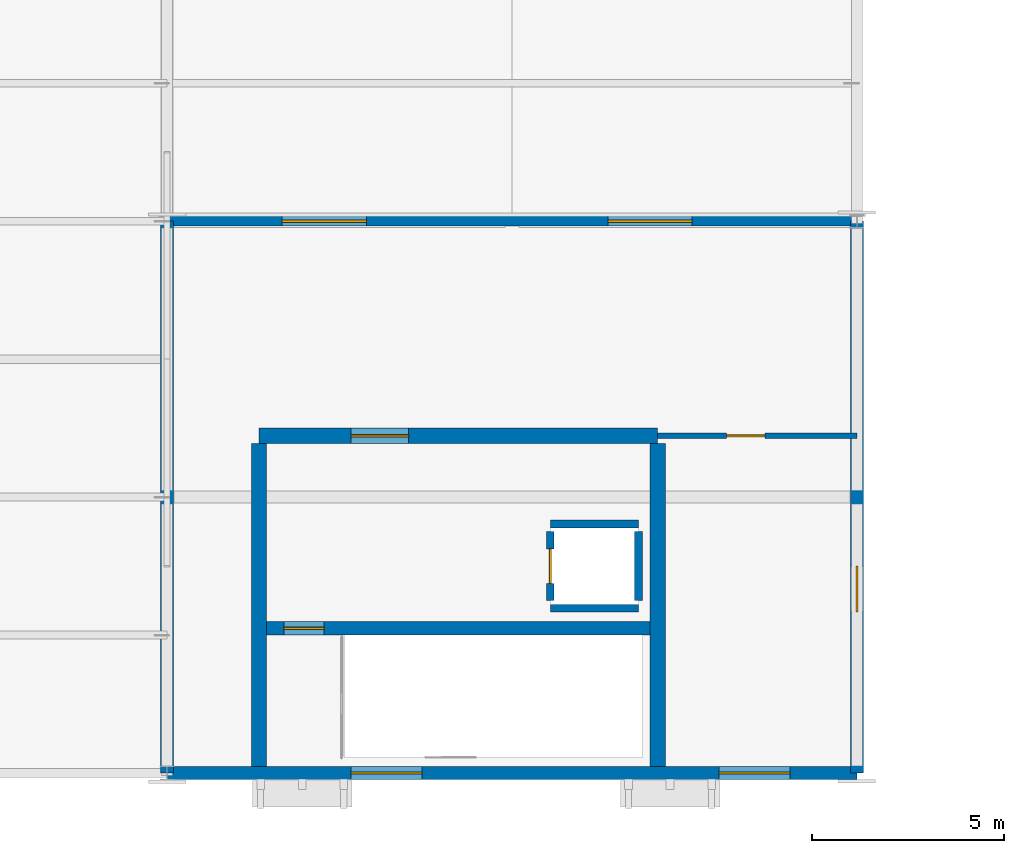
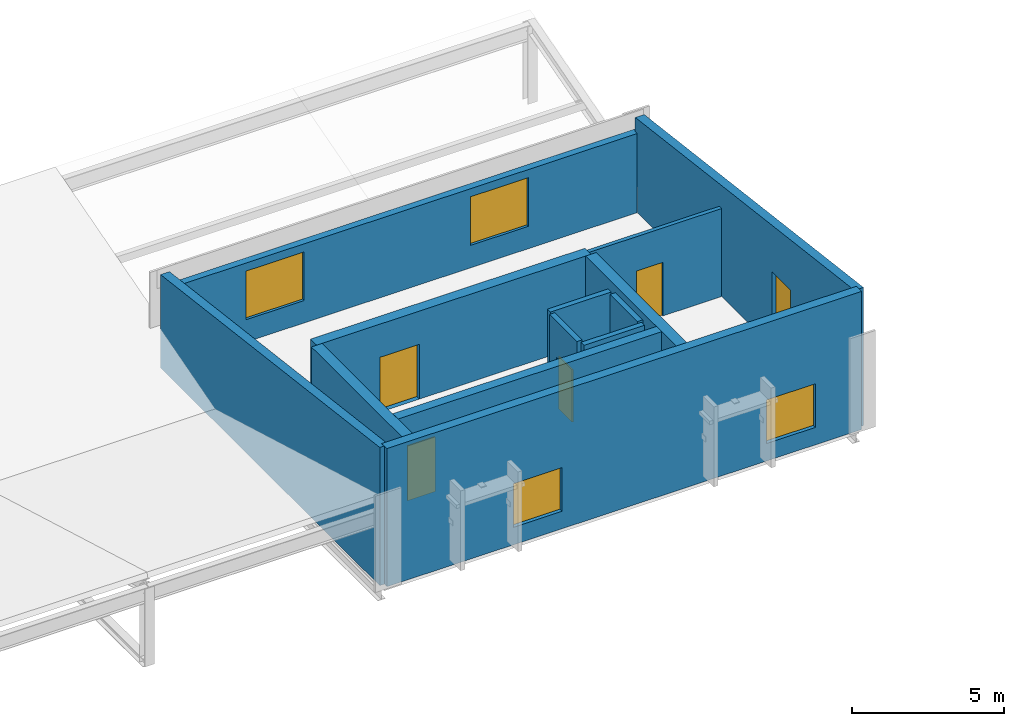
# One storey, part 41 of 64: 13 walls, 5 windows, 4 doors, 9 openings.
"""IFC4 building model written with IfcOpenShell, lengths in metres."""

import ifcopenshell
import ifcopenshell.guid

model = None  # the IFC model being written
_history = None  # IfcOwnerHistory: only IFC2X3 demands one
_inside = {}  # id of a spatial element -> (the spatial element, [elements in it])
_under = {}  # id of a project, library or spatial element -> (it, [spatial elements below it])
_declared = {}  # id of a project -> (the project, [libraries it declares])
_typed = {}  # id of a type object -> (the type object, [elements of that type])
_made_of = {}  # id of a material, layer set ... -> (it, [elements and type objects made of it])


def new_model(schema):
    """Start an empty IFC model of exactly this schema.

    Asked for "IFC4X3", IfcOpenShell would pick the latest addendum, in which some entities
    have other attributes; the version numbers below select the first issue.
    IFC2X3 requires an IfcOwnerHistory on every rooted entity: one is made here for all.
    """
    global model, _history
    if schema == "IFC4X3":
        model = ifcopenshell.file(schema_version=(4, 3, 0, 0))
    else:
        model = ifcopenshell.file(schema=schema)
    _inside.clear()
    _under.clear()
    _declared.clear()
    _typed.clear()
    _made_of.clear()
    _history = None
    if model.schema == "IFC2X3":
        org = make("IfcOrganization", Name="unknown")
        user = make(
            "IfcPersonAndOrganization",
            ThePerson=make("IfcPerson", FamilyName="unknown"),
            TheOrganization=org,
        )
        app = make(
            "IfcApplication",
            ApplicationDeveloper=org,
            Version="unknown",
            ApplicationFullName="unknown",
            ApplicationIdentifier="unknown",
        )
        _history = make(
            "IfcOwnerHistory",
            OwningUser=user,
            OwningApplication=app,
            ChangeAction="ADDED",
            CreationDate=0,
        )
    return model


def make(cls, **values):
    """One entity of the class cls with the attributes given. An attribute that is None is left unset."""
    return model.create_entity(
        cls, **{name: value for name, value in values.items() if value is not None}
    )


def rooted(cls, **values):
    """An entity with a GlobalId (a new one), such as an element, a storey or a relation."""
    return make(cls, GlobalId=ifcopenshell.guid.new(), OwnerHistory=_history, **values)


def si_unit(unit_type, name, prefix=None):
    """IfcSIUnit, for example si_unit("LENGTHUNIT", "METRE", prefix="MILLI")."""
    return make("IfcSIUnit", UnitType=unit_type, Prefix=prefix, Name=name)


def assignment(units):
    """IfcUnitAssignment: the units of a project."""
    return None if units is None else make("IfcUnitAssignment", Units=units)


def point(xyz):
    """IfcCartesianPoint."""
    return None if xyz is None else make("IfcCartesianPoint", Coordinates=xyz)


def direction(xyz):
    """IfcDirection."""
    return None if xyz is None else make("IfcDirection", DirectionRatios=xyz)


def frame(location, z_axis=None, x_axis=None):
    """IfcAxis2Placement3D, a coordinate frame: its origin and axes. An axis left out is left unset."""
    return make(
        "IfcAxis2Placement3D",
        Location=point(location),
        Axis=direction(z_axis),
        RefDirection=direction(x_axis),
    )


def frame_2d(location, x_axis=None):
    """IfcAxis2Placement2D, a coordinate frame in the plane: its origin and x axis."""
    return make(
        "IfcAxis2Placement2D", Location=point(location), RefDirection=direction(x_axis)
    )


def origin():
    """The frame at (0, 0, 0) with its axes left unset."""
    return frame((0.0, 0.0, 0.0))


def place(relative_to, where):
    """IfcLocalPlacement: puts the frame where relative to a parent placement (None: the world)."""
    return make(
        "IfcLocalPlacement", PlacementRelTo=relative_to, RelativePlacement=where
    )


def context(
    kind, dimensions, precision=None, world=None, true_north=None, identifier=None
):
    """IfcGeometricRepresentationContext, for example the 3D "Model" context."""
    return make(
        "IfcGeometricRepresentationContext",
        ContextIdentifier=identifier,
        ContextType=kind,
        CoordinateSpaceDimension=dimensions,
        Precision=precision,
        WorldCoordinateSystem=world,
        TrueNorth=true_north,
    )


def subcontext(parent, identifier, kind, view, scale=None):
    """IfcGeometricRepresentationSubContext, for example "Body" below "Model"."""
    return make(
        "IfcGeometricRepresentationSubContext",
        ContextIdentifier=identifier,
        ContextType=kind,
        ParentContext=parent,
        TargetScale=scale,
        TargetView=view,
    )


def project(units=None, contexts=None):
    """IfcProject with its units and contexts."""
    return rooted(
        "IfcProject",
        Name="project",
        RepresentationContexts=contexts,
        UnitsInContext=assignment(units),
    )


def spatial(cls, under=None, at=None, **own):
    """A site, building, storey or space (cls), placed at a placement, below another one or the project."""
    s = rooted(cls, ObjectPlacement=at, **own)
    if under is not None:
        _under.setdefault(under.id(), (under, []))[1].append(s)
    return s


def polyline(points):
    """IfcPolyline through the points."""
    return make("IfcPolyline", Points=[point(p) for p in points])


def profile(cls, at=None, kind="AREA", **sizes):
    """A parametric profile (cls). Its sizes go by their IFC names, for example OverallWidth=200.0."""
    return make(cls, ProfileType=kind, Position=at, **sizes)


def rectangle(**sizes):
    """IfcRectangleProfileDef."""
    return profile("IfcRectangleProfileDef", **sizes)


def outline(outer, holes=None, kind="AREA"):
    """IfcArbitraryClosedProfileDef: a profile drawn as a closed curve; with holes, ...WithVoids."""
    if holes is None:
        return make("IfcArbitraryClosedProfileDef", ProfileType=kind, OuterCurve=outer)
    return make(
        "IfcArbitraryProfileDefWithVoids",
        ProfileType=kind,
        OuterCurve=outer,
        InnerCurves=holes,
    )


def extrude(swept, where, along, depth):
    """IfcExtrudedAreaSolid: the profile swept, set in the frame where, extruded along a direction by depth."""
    return make(
        "IfcExtrudedAreaSolid",
        SweptArea=swept,
        Position=where,
        ExtrudedDirection=direction(along),
        Depth=depth,
    )


def shape(context_of_items, identifier, shape_type, items):
    """IfcShapeRepresentation: the items that make up one representation, for example the "Body"."""
    return make(
        "IfcShapeRepresentation",
        ContextOfItems=context_of_items,
        RepresentationIdentifier=identifier,
        RepresentationType=shape_type,
        Items=items,
    )


def material(Name=None, Category=None):
    """IfcMaterial."""
    return make("IfcMaterial", Name=Name, Category=Category)


def layer(
    of_material, thickness, ventilated=None, Name=None, Category=None, Priority=None
):
    """IfcMaterialLayer: one layer of a wall or slab, of a material (None: an air gap)."""
    return make(
        "IfcMaterialLayer",
        Material=of_material,
        LayerThickness=thickness,
        IsVentilated=ventilated,
        Name=Name,
        Category=Category,
        Priority=Priority,
    )


def layer_set(layers, Name=None):
    """IfcMaterialLayerSet."""
    return make("IfcMaterialLayerSet", MaterialLayers=layers, LayerSetName=Name)


def made_of(thing, what):
    """Note that an element or type object is made of a material, layer set ...; save() writes the relation."""
    if what is not None:
        _made_of.setdefault(what.id(), (what, []))[1].append(thing)
    return thing


def type_object(cls, material=None, **own):
    """A type object (cls), such as IfcWallType, which elements share."""
    return made_of(rooted(cls, **own), material)


def element(
    cls,
    number,
    at=None,
    inside=None,
    cuts=None,
    type_object=None,
    material=None,
    context=None,
    identifier="Body",
    shape_type=None,
    held_by="IfcProductDefinitionShape",
    body=None,
    shapes=None,
    **own,
):
    """One element of the class cls, such as IfcWall. Its Tag is "e" and its number.

    at: its placement. inside: the storey or other place that contains it. cuts: it is an
    opening in that element (IfcRelVoidsElement). A single representation is given by context,
    identifier, shape_type and body (its items); several are given by shapes. held_by: the class
    of the entity that holds the representations. save() writes the other relations.
    """
    e = rooted(cls, Tag="e%d" % number, ObjectPlacement=at, **own)
    if body is not None:
        shapes = [shape(context, identifier, shape_type, body)]
    if shapes is not None:
        e.Representation = make(held_by, Representations=shapes)
    if inside is not None:
        _inside.setdefault(inside.id(), (inside, []))[1].append(e)
    if cuts is not None:
        rooted(
            "IfcRelVoidsElement", RelatingBuildingElement=cuts, RelatedOpeningElement=e
        )
    if type_object is not None:
        _typed.setdefault(type_object.id(), (type_object, []))[1].append(e)
    return made_of(e, material)


def fill(opening, filler):
    """IfcRelFillsElement: the door or window that sits in an opening."""
    return rooted(
        "IfcRelFillsElement",
        RelatingOpeningElement=opening,
        RelatedBuildingElement=filler,
    )


def aggregate(whole, parts):
    """IfcRelAggregates: a whole, such as a stair, and the parts it consists of."""
    return rooted("IfcRelAggregates", RelatingObject=whole, RelatedObjects=parts)


def save(model, path):
    """Write the relations noted so far, then the file.

    IfcRelAggregates (storeys below a building ...), IfcRelContainedInSpatialStructure (elements
    in a storey), IfcRelDefinesByType, IfcRelAssociatesMaterial and IfcRelDeclares: one each for
    every whole, place, type object, material and project.
    """
    for whole, parts in _under.values():
        aggregate(whole, parts)
    for where, things in _inside.values():
        rooted(
            "IfcRelContainedInSpatialStructure",
            RelatedElements=things,
            RelatingStructure=where,
        )
    for kind, things in _typed.values():
        rooted("IfcRelDefinesByType", RelatedObjects=things, RelatingType=kind)
    for what, things in _made_of.values():
        rooted("IfcRelAssociatesMaterial", RelatedObjects=things, RelatingMaterial=what)
    for by, libraries in _declared.values():
        rooted("IfcRelDeclares", RelatingContext=by, RelatedDefinitions=libraries)
    model.write(path)


model = new_model("IFC4")

# Units and contexts
model_context = context("Model", 3, precision=1e-05, world=origin(), true_north=direction((0.0, 1.0)))
body_context = subcontext(model_context, "Body", "Model", "MODEL_VIEW")
ifc_project = project(units=[si_unit("LENGTHUNIT", "METRE"), si_unit("AREAUNIT", "SQUARE_METRE"), si_unit("VOLUMEUNIT", "CUBIC_METRE"), si_unit("PLANEANGLEUNIT", "RADIAN"), si_unit("MASSUNIT", "GRAM", prefix="KILO")], contexts=[model_context])

# Site, building, storey
site_placement = place(None, origin())
site = spatial("IfcSite", under=ifc_project, at=site_placement, CompositionType="ELEMENT")
building_placement = place(site_placement, origin())
building = spatial("IfcBuilding", under=site, at=building_placement, Name="Vervanel Yard Central Library", CompositionType="ELEMENT")
storey_placement = place(building_placement, frame((0.0, 0.0, 8.93994140625)))
storey = spatial("IfcBuildingStorey", under=building, at=storey_placement, Name="L02", CompositionType="ELEMENT", Elevation=8.93994140625)

# Wall, openings, windows
ifc_material_1 = material(Name="Concrete C40/50", Category="concrete")
ifc_layer_1 = layer(ifc_material_1, 0.260009765625, Category="concrete")
ifc_layer_set_1 = layer_set([ifc_layer_1], Name="Concrete C40/50")
wall_type_1 = type_object("IfcWallType", Name="Children's Pavilion Concrete Wall 260", PredefinedType="SOLIDWALL", material=ifc_layer_set_1)
wall_1_placement = place(storey_placement, frame((90.0, 14.39990234375, 0.0), z_axis=(0.0, 0.0, 1.0), x_axis=(1.0, 0.0, 0.0)))
wall_1 = element("IfcWall", 1, at=wall_1_placement, inside=storey, type_object=wall_type_1, Name="L02 Children's Pavilion Concrete Wall 260 EWALL-L02-0210", PredefinedType="SOLIDWALL", context=body_context, shape_type="SweptSolid", body=[
    extrude(rectangle(XDim=18.0, YDim=0.260009765625, at=frame_2d((9.0, 0.0))), origin(), (0.0, 0.0, 1.0), 3.174072265625),
])
opening_1_placement = place(wall_1_placement, frame((3.0, 0.0, 0.89990234375)))
opening_1 = element("IfcOpeningElement", 2, at=opening_1_placement, cuts=wall_1, Name="Opening WN-11", PredefinedType="OPENING", context=body_context, shape_type="SweptSolid", body=[
    extrude(rectangle(XDim=2.199951171875, YDim=1.949951171875, at=frame_2d((1.10009765625, 0.97509765625))), frame((0.0, 0.139892578125, 0.0), z_axis=(0.0, -1.0, 0.0), x_axis=(1.0, 0.0, 0.0)), (0.0, 0.0, 1.0), 0.280029296875),
])
opening_2_placement = place(wall_1_placement, frame((11.5, 0.0, 0.89990234375)))
opening_2 = element("IfcOpeningElement", 3, at=opening_2_placement, cuts=wall_1, Name="Opening WN-11", PredefinedType="OPENING", context=body_context, shape_type="SweptSolid", body=[
    extrude(rectangle(XDim=2.199951171875, YDim=1.949951171875, at=frame_2d((1.10009765625, 0.97509765625))), frame((0.0, 0.139892578125, 0.0), z_axis=(0.0, -1.0, 0.0), x_axis=(1.0, 0.0, 0.0)), (0.0, 0.0, 1.0), 0.280029296875),
])
ifc_material_2 = material(Name="Double low-E laminated solar-control glass", Category="glass")
window_type_1 = type_object("IfcWindowType", Name="Children's Discovery Picture Window 2200x1950", PartitioningType="SINGLE_PANEL", PredefinedType="WINDOW", material=ifc_material_2)
window_1_placement = place(opening_1_placement, origin())
window_1 = element("IfcWindow", 4, at=window_1_placement, inside=storey, type_object=window_type_1, Name="L02 Children's Discovery Picture Window 2200x1950 274", OverallHeight=1.949951171875, OverallWidth=2.199951171875, PartitioningType="SINGLE_PANEL", PredefinedType="WINDOW", context=body_context, shape_type="SweptSolid", body=[
    extrude(rectangle(XDim=2.199951171875, YDim=1.949951171875, at=frame_2d((1.10009765625, 0.97509765625))), frame((0.0, 0.030029296875, 0.0), z_axis=(0.0, -1.0, 0.0), x_axis=(1.0, 0.0, 0.0)), (0.0, 0.0, 1.0), 0.06005859375),
])
fill(opening_1, window_1)
window_2_placement = place(opening_2_placement, origin())
window_2 = element("IfcWindow", 5, at=window_2_placement, inside=storey, type_object=window_type_1, Name="L02 Children's Discovery Picture Window 2200x1950 275", OverallHeight=1.949951171875, OverallWidth=2.199951171875, PartitioningType="SINGLE_PANEL", PredefinedType="WINDOW", context=body_context, shape_type="SweptSolid", body=[
    extrude(rectangle(XDim=2.199951171875, YDim=1.949951171875, at=frame_2d((1.10009765625, 0.97509765625))), frame((0.0, 0.030029296875, 0.0), z_axis=(0.0, -1.0, 0.0), x_axis=(1.0, 0.0, 0.0)), (0.0, 0.0, 1.0), 0.06005859375),
])
fill(opening_2, window_2)

# Wall, opening, door
ifc_material_3 = material(Name="Concrete C45/55", Category="concrete")
ifc_layer_2 = layer(ifc_material_3, 0.39990234375, Category="concrete")
ifc_layer_set_2 = layer_set([ifc_layer_2], Name="Concrete C45/55")
wall_type_2 = type_object("IfcWallType", Name="Core Primary Shear Wall 400", PredefinedType="SHEAR", material=ifc_layer_set_2)
wall_2_placement = place(storey_placement, frame((92.39990234375, 8.800048828125, 0.0), z_axis=(0.0, 0.0, 1.0), x_axis=(1.0, 0.0, 0.0)))
wall_2 = element("IfcWall", 6, at=wall_2_placement, inside=storey, type_object=wall_type_2, Name="L02 CORE-F Shear Wall N", PredefinedType="SHEAR", context=body_context, shape_type="SweptSolid", body=[
    extrude(rectangle(XDim=10.400146484375, YDim=0.39990234375, at=frame_2d((5.2001953125, 0.0))), origin(), (0.0, 0.0, 1.0), 3.530029296875),
])
opening_3_placement = place(wall_2_placement, frame((2.39990234375, 0.0, 0.0)))
opening_3 = element("IfcOpeningElement", 7, at=opening_3_placement, cuts=wall_2, Name="Opening DR-F02", PredefinedType="OPENING", context=body_context, shape_type="SweptSolid", body=[
    extrude(rectangle(XDim=1.5, YDim=2.199951171875, at=frame_2d((0.75, 1.10009765625))), frame((0.0, 0.2099609375, 0.0), z_axis=(0.0, -1.0, 0.0), x_axis=(1.0, 0.0, 0.0)), (0.0, 0.0, 1.0), 0.419921875),
])
ifc_material_4 = material(Name="Galvanized painted steelwork ASTM A500 Grade C", Category="steel")
door_type_1 = type_object("IfcDoorType", Name="Fire-Rated Lobby Door 1500x2200", OperationType="NOTDEFINED", PredefinedType="DOOR", material=ifc_material_4)
door_1_placement = place(opening_3_placement, origin())
door_1 = element("IfcDoor", 8, at=door_1_placement, inside=storey, type_object=door_type_1, Name="L02 CORE-F Lobby Fire Door", OperationType="DOUBLE_DOOR_SINGLE_SWING", OverallHeight=2.199951171875, OverallWidth=1.5, PredefinedType="DOOR", context=body_context, shape_type="SweptSolid", body=[
    extrude(rectangle(XDim=1.5, YDim=2.199951171875, at=frame_2d((0.75, 1.10009765625))), frame((0.0, 0.02490234375, 0.0), z_axis=(0.0, -1.0, 0.0), x_axis=(1.0, 0.0, 0.0)), (0.0, 0.0, 1.0), 0.050048828125),
])
fill(opening_3, door_1)

# Walls
for number, where, z_axis, x_axis, name in (
    (9, (92.39990234375, 0.169921875, 0.0), (0.0, 0.0, 1.0), (0.0, 1.0, 0.0), "L02 CORE-F Shear Wall W"),
    (10, (102.800048828125, 0.169921875, 0.0), (0.0, 0.0, 1.0), (0.0, 1.0, 0.0), "L02 CORE-F Shear Wall E"),
):
    element("IfcWall", number, at=place(storey_placement, frame(where, z_axis=z_axis, x_axis=x_axis)), inside=storey, type_object=wall_type_2, Name=name, PredefinedType="SHEAR", context=body_context, shape_type="SweptSolid", body=[
        extrude(rectangle(XDim=8.43017578125, YDim=0.39990234375, at=frame_2d((4.215087890625, 0.0))), origin(), (0.0, 0.0, 1.0), 3.530029296875),
    ])

# Wall, opening, door
ifc_layer_3 = layer(ifc_material_3, 0.35009765625, Category="concrete")
ifc_layer_set_3 = layer_set([ifc_layer_3], Name="Concrete C45/55")
wall_type_3 = type_object("IfcWallType", Name="Core Secondary Shear Wall 350", PredefinedType="SHEAR", material=ifc_layer_set_3)
wall_3_placement = place(storey_placement, frame((92.60009765625, 3.77490234375, 0.0), z_axis=(0.0, 0.0, 1.0), x_axis=(1.0, 0.0, 0.0)))
wall_3 = element("IfcWall", 11, at=wall_3_placement, inside=storey, type_object=wall_type_3, Name="L02 CORE-F Stair Shaft Wall", PredefinedType="SHEAR", context=body_context, shape_type="SweptSolid", body=[
    extrude(rectangle(XDim=10.0, YDim=0.35009765625, at=frame_2d((5.0, 0.0))), origin(), (0.0, 0.0, 1.0), 3.530029296875),
])
opening_4_placement = place(wall_3_placement, frame((0.449951171875, 0.0, 0.0)))
opening_4 = element("IfcOpeningElement", 12, at=opening_4_placement, cuts=wall_3, Name="Opening DR-F01", PredefinedType="OPENING", context=body_context, shape_type="SweptSolid", body=[
    extrude(rectangle(XDim=1.050048828125, YDim=2.199951171875, at=frame_2d((0.52490234375, 1.10009765625))), frame((0.0, 0.18505859375, 0.0), z_axis=(0.0, -1.0, 0.0), x_axis=(1.0, 0.0, 0.0)), (0.0, 0.0, 1.0), 0.3701171875),
])
door_type_2 = type_object("IfcDoorType", Name="Fire-Rated Stair Exit Door 1050x2200", OperationType="NOTDEFINED", PredefinedType="DOOR", material=ifc_material_4)
door_2_placement = place(opening_4_placement, origin())
door_2 = element("IfcDoor", 13, at=door_2_placement, inside=storey, type_object=door_type_2, Name="L02 CORE-F Stair Door", OperationType="SINGLE_SWING_LEFT", OverallHeight=2.199951171875, OverallWidth=1.050048828125, PredefinedType="DOOR", context=body_context, shape_type="SweptSolid", body=[
    extrude(rectangle(XDim=1.050048828125, YDim=2.199951171875, at=frame_2d((0.52490234375, 1.10009765625))), frame((0.0, 0.02490234375, 0.0), z_axis=(0.0, -1.0, 0.0), x_axis=(1.0, 0.0, 0.0)), (0.0, 0.0, 1.0), 0.050048828125),
])
fill(opening_4, door_2)

# Wall, openings, windows
ifc_layer_4 = layer(ifc_material_3, 0.340087890625, Category="concrete")
ifc_layer_set_4 = layer_set([ifc_layer_4], Name="Concrete C45/55")
wall_type_4 = type_object("IfcWallType", Name="Exterior Bearing Concrete Frame Wall 340", PredefinedType="SOLIDWALL", material=ifc_layer_set_4)
wall_4_placement = place(storey_placement, frame((90.0, 0.0, 0.0), z_axis=(0.0, 0.0, 1.0), x_axis=(1.0, 0.0, 0.0)))
wall_4 = element("IfcWall", 14, at=wall_4_placement, inside=storey, type_object=wall_type_4, Name="L02 Exterior Bearing Concrete Frame Wall 340 EWALL-L02-0209", PredefinedType="SOLIDWALL", context=body_context, shape_type="SweptSolid", body=[
    extrude(rectangle(XDim=18.0, YDim=0.340087890625, at=frame_2d((9.0, 0.0))), origin(), (0.0, 0.0, 1.0), 5.5400390625),
])
opening_5_placement = place(wall_4_placement, frame((4.800048828125, 0.0, 0.700927734375)))
opening_5 = element("IfcOpeningElement", 15, at=opening_5_placement, cuts=wall_4, Name="Opening WN-29", PredefinedType="OPENING", context=body_context, shape_type="SweptSolid", body=[
    extrude(rectangle(XDim=1.85009765625, YDim=1.75, at=frame_2d((0.925048828125, 0.875))), frame((0.0, 0.179931640625, 0.0), z_axis=(0.0, -1.0, 0.0), x_axis=(1.0, 0.0, 0.0)), (0.0, 0.0, 1.0), 0.360107421875),
])
opening_6_placement = place(wall_4_placement, frame((14.39990234375, 0.0, 0.700927734375)))
opening_6 = element("IfcOpeningElement", 16, at=opening_6_placement, cuts=wall_4, Name="Opening WN-29", PredefinedType="OPENING", context=body_context, shape_type="SweptSolid", body=[
    extrude(rectangle(XDim=1.85009765625, YDim=1.75, at=frame_2d((0.925048828125, 0.875))), frame((0.0, 0.179931640625, 0.0), z_axis=(0.0, -1.0, 0.0), x_axis=(1.0, 0.0, 0.0)), (0.0, 0.0, 1.0), 0.360107421875),
])
window_type_2 = type_object("IfcWindowType", Name="Children's Playroom Window 1850x1750", PartitioningType="SINGLE_PANEL", PredefinedType="WINDOW", material=ifc_material_2)
window_3_placement = place(opening_5_placement, origin())
window_3 = element("IfcWindow", 17, at=window_3_placement, inside=storey, type_object=window_type_2, Name="L02 Children's Playroom Window 1850x1750 272", OverallHeight=1.75, OverallWidth=1.85009765625, PartitioningType="SINGLE_PANEL", PredefinedType="WINDOW", context=body_context, shape_type="SweptSolid", body=[
    extrude(rectangle(XDim=1.85009765625, YDim=1.75, at=frame_2d((0.925048828125, 0.875))), frame((0.0, 0.030029296875, 0.0), z_axis=(0.0, -1.0, 0.0), x_axis=(1.0, 0.0, 0.0)), (0.0, 0.0, 1.0), 0.06005859375),
])
fill(opening_5, window_3)
window_4_placement = place(opening_6_placement, origin())
window_4 = element("IfcWindow", 18, at=window_4_placement, inside=storey, type_object=window_type_2, Name="L02 Children's Playroom Window 1850x1750 273", OverallHeight=1.75, OverallWidth=1.85009765625, PartitioningType="SINGLE_PANEL", PredefinedType="WINDOW", context=body_context, shape_type="SweptSolid", body=[
    extrude(rectangle(XDim=1.85009765625, YDim=1.75, at=frame_2d((0.925048828125, 0.875))), frame((0.0, 0.030029296875, 0.0), z_axis=(0.0, -1.0, 0.0), x_axis=(1.0, 0.0, 0.0)), (0.0, 0.0, 1.0), 0.06005859375),
])
fill(opening_6, window_4)

# Wall
wall_5_placement = place(storey_placement, frame((90.0, 0.0, 0.0), z_axis=(0.0, 0.0, 1.0), x_axis=(0.0, 1.0, 0.0)))
element("IfcWall", 19, at=wall_5_placement, inside=storey, type_object=wall_type_4, Name="L02 Exterior Bearing Concrete Frame Wall 340 EWALL-L02-0211", PredefinedType="SOLIDWALL", context=body_context, shape_type="SweptSolid", body=[
    extrude(outline(polyline([(0.0, 0.0), (14.39990234375, 0.0), (14.39990234375, 3.739990234375), (0.0, 5.5400390625), (0.0, 0.0)])), frame((0.0, 0.169921875, 0.0), z_axis=(0.0, -1.0, 0.0), x_axis=(1.0, 0.0, 0.0)), (0.0, 0.0, 1.0), 0.340087890625),
])

# Wall, opening, window
wall_6_placement = place(storey_placement, frame((108.0, 0.0, 0.0), z_axis=(0.0, 0.0, 1.0), x_axis=(0.0, 1.0, 0.0)))
wall_6 = element("IfcWall", 20, at=wall_6_placement, inside=storey, type_object=wall_type_4, Name="L02 Exterior Bearing Concrete Frame Wall 340 EWALL-L02-0212", PredefinedType="SOLIDWALL", context=body_context, shape_type="SweptSolid", body=[
    extrude(outline(polyline([(0.0, 0.0), (14.39990234375, 0.0), (14.39990234375, 3.739990234375), (0.0, 5.5400390625), (0.0, 0.0)])), frame((0.0, 0.169921875, 0.0), z_axis=(0.0, -1.0, 0.0), x_axis=(1.0, 0.0, 0.0)), (0.0, 0.0, 1.0), 0.340087890625),
])
opening_7_placement = place(wall_6_placement, frame((4.199951171875, 0.0, 0.89990234375)))
opening_7 = element("IfcOpeningElement", 21, at=opening_7_placement, cuts=wall_6, Name="Opening WN-01", PredefinedType="OPENING", context=body_context, shape_type="SweptSolid", body=[
    extrude(rectangle(XDim=1.199951171875, YDim=2.10009765625, at=frame_2d((0.60009765625, 1.050048828125))), frame((0.0, 0.179931640625, 0.0), z_axis=(0.0, -1.0, 0.0), x_axis=(1.0, 0.0, 0.0)), (0.0, 0.0, 1.0), 0.360107421875),
])
window_type_3 = type_object("IfcWindowType", Name="Reading Slot Window 1200x2100", PartitioningType="SINGLE_PANEL", PredefinedType="WINDOW", material=ifc_material_2)
window_5_placement = place(opening_7_placement, origin())
window_5 = element("IfcWindow", 22, at=window_5_placement, inside=storey, type_object=window_type_3, Name="L02 Reading Slot Window 1200x2100 276", OverallHeight=2.10009765625, OverallWidth=1.199951171875, PartitioningType="SINGLE_PANEL", PredefinedType="WINDOW", context=body_context, shape_type="SweptSolid", body=[
    extrude(rectangle(XDim=1.199951171875, YDim=2.10009765625, at=frame_2d((0.60009765625, 1.050048828125))), frame((0.0, 0.030029296875, 0.0), z_axis=(0.0, -1.0, 0.0), x_axis=(1.0, 0.0, 0.0)), (0.0, 0.0, 1.0), 0.06005859375),
])
fill(opening_7, window_5)

# Wall, opening, door
ifc_material_5 = material(Name="Fire-rated gypsum board on steel studs", Category="steel")
ifc_layer_5 = layer(ifc_material_5, 0.14990234375, Category="steel")
ifc_layer_set_5 = layer_set([ifc_layer_5], Name="Fire-rated gypsum board on steel studs")
wall_type_5 = type_object("IfcWallType", Name="Interior Partition 150", PredefinedType="PARTITIONING", material=ifc_layer_set_5)
wall_7_placement = place(storey_placement, frame((102.800048828125, 8.800048828125, 0.0), z_axis=(0.0, 0.0, 1.0), x_axis=(1.0, 0.0, 0.0)))
wall_7 = element("IfcWall", 23, at=wall_7_placement, inside=storey, type_object=wall_type_5, Name="L02 Interior Partition 150 IPART-RC2-L02-V5P1", PredefinedType="PARTITIONING", context=body_context, shape_type="SweptSolid", body=[
    extrude(rectangle(XDim=5.199951171875, YDim=0.14990234375, at=frame_2d((2.60009765625, 0.0))), origin(), (0.0, 0.0, 1.0), 3.530029296875),
])
opening_8_placement = place(wall_7_placement, frame((1.800048828125, 0.0, 0.0)))
opening_8 = element("IfcOpeningElement", 24, at=opening_8_placement, cuts=wall_7, Name="Opening DR-01", PredefinedType="OPENING", context=body_context, shape_type="SweptSolid", body=[
    extrude(rectangle(XDim=1.0, YDim=2.14990234375, at=frame_2d((0.5, 1.074951171875))), frame((0.0, 0.0849609375, 0.0), z_axis=(0.0, -1.0, 0.0), x_axis=(1.0, 0.0, 0.0)), (0.0, 0.0, 1.0), 0.169921875),
])
ifc_material_6 = material(Name="Solid white oak acoustic joinery", Category="wood")
door_type_3 = type_object("IfcDoorType", Name="Interior Single Door 1000x2150", OperationType="NOTDEFINED", PredefinedType="DOOR", material=ifc_material_6)
door_3_placement = place(opening_8_placement, origin())
door_3 = element("IfcDoor", 25, at=door_3_placement, inside=storey, type_object=door_type_3, Name="L02 Interior Single Door 1000x2150 IDOOR-IPART-RC2-L02-V5P1-1", OperationType="SINGLE_SWING_RIGHT", OverallHeight=2.14990234375, OverallWidth=1.0, PredefinedType="DOOR", context=body_context, shape_type="SweptSolid", body=[
    extrude(rectangle(XDim=1.0, YDim=2.14990234375, at=frame_2d((0.5, 1.074951171875))), frame((0.0, 0.02490234375, 0.0), z_axis=(0.0, -1.0, 0.0), x_axis=(1.0, 0.0, 0.0)), (0.0, 0.0, 1.0), 0.050048828125),
])
fill(opening_8, door_3)

# Walls
ifc_layer_6 = layer(ifc_material_1, 0.199951171875, Category="concrete")
ifc_layer_set_6 = layer_set([ifc_layer_6], Name="Concrete C40/50")
wall_type_6 = type_object("IfcWallType", Name="Shaft & Plant Rated Wall 200", PredefinedType="PARTITIONING", material=ifc_layer_set_6)
for number, where, z_axis, x_axis, name in (
    (26, (100.0, 4.300048828125, 0.0), (0.0, 0.0, 1.0), (1.0, 0.0, 0.0), "L02 CORE-F-L02-RIS Shaft Wall S"),
    (27, (100.0, 6.5, 0.0), (0.0, 0.0, 1.0), (1.0, 0.0, 0.0), "L02 CORE-F-L02-RIS Shaft Wall N"),
):
    element("IfcWall", number, at=place(storey_placement, frame(where, z_axis=z_axis, x_axis=x_axis)), inside=storey, type_object=wall_type_6, Name=name, PredefinedType="PARTITIONING", context=body_context, shape_type="SweptSolid", body=[
        extrude(rectangle(XDim=2.300048828125, YDim=0.199951171875, at=frame_2d((1.14990234375, 0.0))), origin(), (0.0, 0.0, 1.0), 3.530029296875),
    ])

# Wall, opening, door
wall_8_placement = place(storey_placement, frame((100.0, 4.5, 0.0), z_axis=(0.0, 0.0, 1.0), x_axis=(0.0, 1.0, 0.0)))
wall_8 = element("IfcWall", 28, at=wall_8_placement, inside=storey, type_object=wall_type_6, Name="L02 CORE-F-L02-RIS Shaft Wall W", PredefinedType="PARTITIONING", context=body_context, shape_type="SweptSolid", body=[
    extrude(rectangle(XDim=1.800048828125, YDim=0.199951171875, at=frame_2d((0.89990234375, 0.0))), origin(), (0.0, 0.0, 1.0), 3.530029296875),
])
opening_9_placement = place(wall_8_placement, frame((0.449951171875, 0.0, 0.0)))
opening_9 = element("IfcOpeningElement", 29, at=opening_9_placement, cuts=wall_8, Name="Opening DR-03", PredefinedType="OPENING", context=body_context, shape_type="SweptSolid", body=[
    extrude(rectangle(XDim=0.89990234375, YDim=2.10009765625, at=frame_2d((0.449951171875, 1.050048828125))), frame((0.0, 0.10986328125, 0.0), z_axis=(0.0, -1.0, 0.0), x_axis=(1.0, 0.0, 0.0)), (0.0, 0.0, 1.0), 0.219970703125),
])
door_type_4 = type_object("IfcDoorType", Name="Interior Riser Access Door 900x2100", OperationType="NOTDEFINED", PredefinedType="DOOR", material=ifc_material_4)
door_4_placement = place(opening_9_placement, origin())
door_4 = element("IfcDoor", 30, at=door_4_placement, inside=storey, type_object=door_type_4, Name="L02 CORE-F Riser Access Door", OperationType="SINGLE_SWING_LEFT", OverallHeight=2.10009765625, OverallWidth=0.89990234375, PredefinedType="DOOR", context=body_context, shape_type="SweptSolid", body=[
    extrude(rectangle(XDim=0.89990234375, YDim=2.10009765625, at=frame_2d((0.449951171875, 1.050048828125))), frame((0.0, 0.02490234375, 0.0), z_axis=(0.0, -1.0, 0.0), x_axis=(1.0, 0.0, 0.0)), (0.0, 0.0, 1.0), 0.050048828125),
])
fill(opening_9, door_4)

# Wall
wall_9_placement = place(storey_placement, frame((102.300048828125, 4.5, 0.0), z_axis=(0.0, 0.0, 1.0), x_axis=(0.0, 1.0, 0.0)))
element("IfcWall", 31, at=wall_9_placement, inside=storey, type_object=wall_type_6, Name="L02 CORE-F-L02-RIS Shaft Wall E", PredefinedType="PARTITIONING", context=body_context, shape_type="SweptSolid", body=[
    extrude(rectangle(XDim=1.800048828125, YDim=0.199951171875, at=frame_2d((0.89990234375, 0.0))), origin(), (0.0, 0.0, 1.0), 3.530029296875),
])

save(model, "model.ifc")
